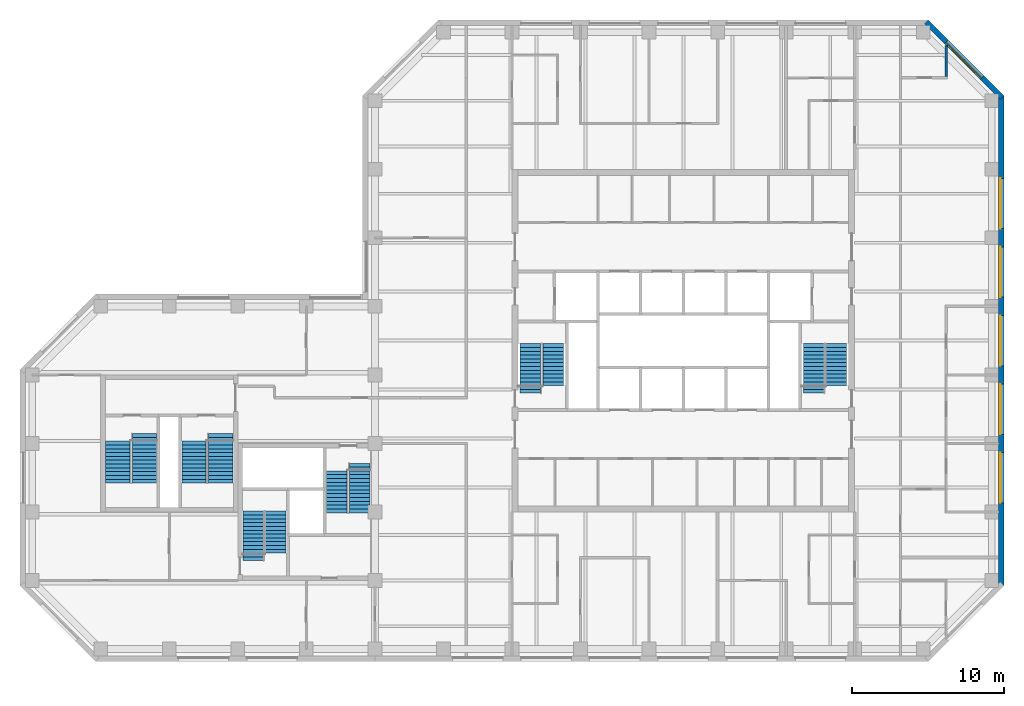
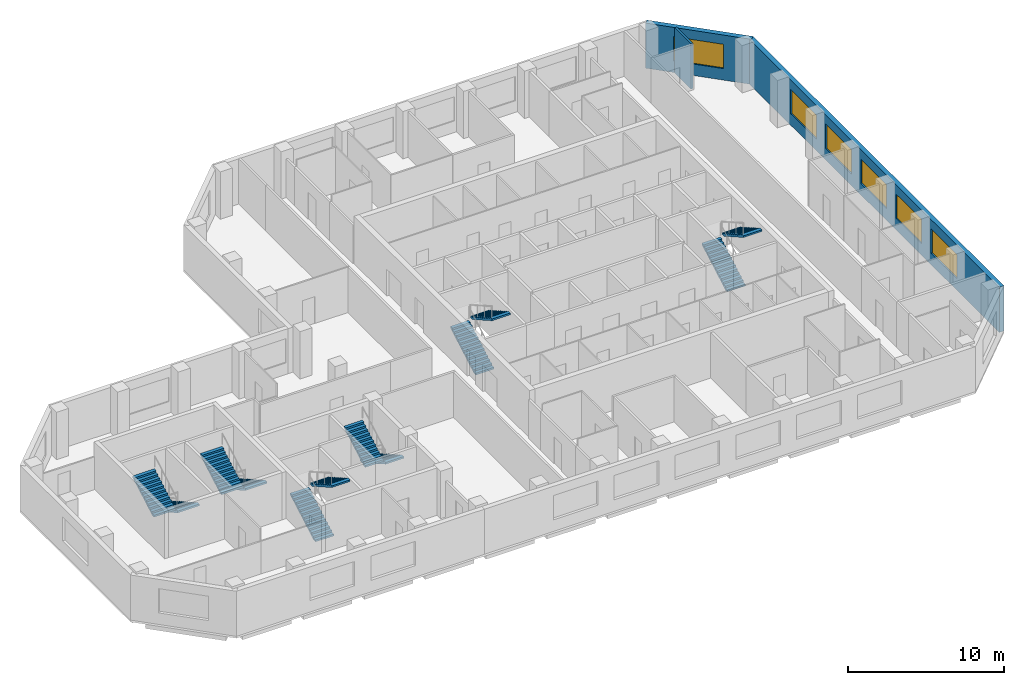
# One storey, part 8 of 9: 12 stair flights, 6 windows, 3 walls, 6 openings, 6 elements without a shape of their own.
"""IFC4 building model written with IfcOpenShell, lengths in metres."""

import ifcopenshell
import ifcopenshell.guid

model = None  # the IFC model being written
_history = None  # IfcOwnerHistory: only IFC2X3 demands one
_inside = {}  # id of a spatial element -> (the spatial element, [elements in it])
_under = {}  # id of a project, library or spatial element -> (it, [spatial elements below it])
_declared = {}  # id of a project -> (the project, [libraries it declares])
_typed = {}  # id of a type object -> (the type object, [elements of that type])
_made_of = {}  # id of a material, layer set ... -> (it, [elements and type objects made of it])


def new_model(schema):
    """Start an empty IFC model of exactly this schema.

    Asked for "IFC4X3", IfcOpenShell would pick the latest addendum, in which some entities
    have other attributes; the version numbers below select the first issue.
    IFC2X3 requires an IfcOwnerHistory on every rooted entity: one is made here for all.
    """
    global model, _history
    if schema == "IFC4X3":
        model = ifcopenshell.file(schema_version=(4, 3, 0, 0))
    else:
        model = ifcopenshell.file(schema=schema)
    _inside.clear()
    _under.clear()
    _declared.clear()
    _typed.clear()
    _made_of.clear()
    _history = None
    if model.schema == "IFC2X3":
        org = make("IfcOrganization", Name="unknown")
        user = make(
            "IfcPersonAndOrganization",
            ThePerson=make("IfcPerson", FamilyName="unknown"),
            TheOrganization=org,
        )
        app = make(
            "IfcApplication",
            ApplicationDeveloper=org,
            Version="unknown",
            ApplicationFullName="unknown",
            ApplicationIdentifier="unknown",
        )
        _history = make(
            "IfcOwnerHistory",
            OwningUser=user,
            OwningApplication=app,
            ChangeAction="ADDED",
            CreationDate=0,
        )
    return model


def make(cls, **values):
    """One entity of the class cls with the attributes given. An attribute that is None is left unset."""
    return model.create_entity(
        cls, **{name: value for name, value in values.items() if value is not None}
    )


def rooted(cls, **values):
    """An entity with a GlobalId (a new one), such as an element, a storey or a relation."""
    return make(cls, GlobalId=ifcopenshell.guid.new(), OwnerHistory=_history, **values)


def si_unit(unit_type, name, prefix=None):
    """IfcSIUnit, for example si_unit("LENGTHUNIT", "METRE", prefix="MILLI")."""
    return make("IfcSIUnit", UnitType=unit_type, Prefix=prefix, Name=name)


def assignment(units):
    """IfcUnitAssignment: the units of a project."""
    return None if units is None else make("IfcUnitAssignment", Units=units)


def point(xyz):
    """IfcCartesianPoint."""
    return None if xyz is None else make("IfcCartesianPoint", Coordinates=xyz)


def direction(xyz):
    """IfcDirection."""
    return None if xyz is None else make("IfcDirection", DirectionRatios=xyz)


def frame(location, z_axis=None, x_axis=None):
    """IfcAxis2Placement3D, a coordinate frame: its origin and axes. An axis left out is left unset."""
    return make(
        "IfcAxis2Placement3D",
        Location=point(location),
        Axis=direction(z_axis),
        RefDirection=direction(x_axis),
    )


def frame_2d(location, x_axis=None):
    """IfcAxis2Placement2D, a coordinate frame in the plane: its origin and x axis."""
    return make(
        "IfcAxis2Placement2D", Location=point(location), RefDirection=direction(x_axis)
    )


def origin():
    """The frame at (0, 0, 0) with its axes left unset."""
    return frame((0.0, 0.0, 0.0))


def place(relative_to, where):
    """IfcLocalPlacement: puts the frame where relative to a parent placement (None: the world)."""
    return make(
        "IfcLocalPlacement", PlacementRelTo=relative_to, RelativePlacement=where
    )


def context(
    kind, dimensions, precision=None, world=None, true_north=None, identifier=None
):
    """IfcGeometricRepresentationContext, for example the 3D "Model" context."""
    return make(
        "IfcGeometricRepresentationContext",
        ContextIdentifier=identifier,
        ContextType=kind,
        CoordinateSpaceDimension=dimensions,
        Precision=precision,
        WorldCoordinateSystem=world,
        TrueNorth=true_north,
    )


def subcontext(parent, identifier, kind, view, scale=None):
    """IfcGeometricRepresentationSubContext, for example "Body" below "Model"."""
    return make(
        "IfcGeometricRepresentationSubContext",
        ContextIdentifier=identifier,
        ContextType=kind,
        ParentContext=parent,
        TargetScale=scale,
        TargetView=view,
    )


def project(units=None, contexts=None):
    """IfcProject with its units and contexts."""
    return rooted(
        "IfcProject",
        Name="project",
        RepresentationContexts=contexts,
        UnitsInContext=assignment(units),
    )


def spatial(cls, under=None, at=None, **own):
    """A site, building, storey or space (cls), placed at a placement, below another one or the project."""
    s = rooted(cls, ObjectPlacement=at, **own)
    if under is not None:
        _under.setdefault(under.id(), (under, []))[1].append(s)
    return s


def polyline(points):
    """IfcPolyline through the points."""
    return make("IfcPolyline", Points=[point(p) for p in points])


def profile(cls, at=None, kind="AREA", **sizes):
    """A parametric profile (cls). Its sizes go by their IFC names, for example OverallWidth=200.0."""
    return make(cls, ProfileType=kind, Position=at, **sizes)


def rectangle(**sizes):
    """IfcRectangleProfileDef."""
    return profile("IfcRectangleProfileDef", **sizes)


def outline(outer, holes=None, kind="AREA"):
    """IfcArbitraryClosedProfileDef: a profile drawn as a closed curve; with holes, ...WithVoids."""
    if holes is None:
        return make("IfcArbitraryClosedProfileDef", ProfileType=kind, OuterCurve=outer)
    return make(
        "IfcArbitraryProfileDefWithVoids",
        ProfileType=kind,
        OuterCurve=outer,
        InnerCurves=holes,
    )


def extrude(swept, where, along, depth):
    """IfcExtrudedAreaSolid: the profile swept, set in the frame where, extruded along a direction by depth."""
    return make(
        "IfcExtrudedAreaSolid",
        SweptArea=swept,
        Position=where,
        ExtrudedDirection=direction(along),
        Depth=depth,
    )


def shape(context_of_items, identifier, shape_type, items):
    """IfcShapeRepresentation: the items that make up one representation, for example the "Body"."""
    return make(
        "IfcShapeRepresentation",
        ContextOfItems=context_of_items,
        RepresentationIdentifier=identifier,
        RepresentationType=shape_type,
        Items=items,
    )


def material(Name=None, Category=None):
    """IfcMaterial."""
    return make("IfcMaterial", Name=Name, Category=Category)


def layer(
    of_material, thickness, ventilated=None, Name=None, Category=None, Priority=None
):
    """IfcMaterialLayer: one layer of a wall or slab, of a material (None: an air gap)."""
    return make(
        "IfcMaterialLayer",
        Material=of_material,
        LayerThickness=thickness,
        IsVentilated=ventilated,
        Name=Name,
        Category=Category,
        Priority=Priority,
    )


def layer_set(layers, Name=None):
    """IfcMaterialLayerSet."""
    return make("IfcMaterialLayerSet", MaterialLayers=layers, LayerSetName=Name)


def constituent(of_material, Name=None, Category=None, fraction=None):
    """IfcMaterialConstituent: one of the materials an element consists of."""
    return make(
        "IfcMaterialConstituent",
        Name=Name,
        Material=of_material,
        Fraction=fraction,
        Category=Category,
    )


def constituent_set(constituents=None, Name=None):
    """IfcMaterialConstituentSet."""
    return make(
        "IfcMaterialConstituentSet", Name=Name, MaterialConstituents=constituents
    )


def made_of(thing, what):
    """Note that an element or type object is made of a material, layer set ...; save() writes the relation."""
    if what is not None:
        _made_of.setdefault(what.id(), (what, []))[1].append(thing)
    return thing


def type_object(cls, material=None, **own):
    """A type object (cls), such as IfcWallType, which elements share."""
    return made_of(rooted(cls, **own), material)


def element(
    cls,
    number,
    at=None,
    inside=None,
    cuts=None,
    type_object=None,
    material=None,
    context=None,
    identifier="Body",
    shape_type=None,
    held_by="IfcProductDefinitionShape",
    body=None,
    shapes=None,
    **own,
):
    """One element of the class cls, such as IfcWall. Its Tag is "e" and its number.

    at: its placement. inside: the storey or other place that contains it. cuts: it is an
    opening in that element (IfcRelVoidsElement). A single representation is given by context,
    identifier, shape_type and body (its items); several are given by shapes. held_by: the class
    of the entity that holds the representations. save() writes the other relations.
    """
    e = rooted(cls, Tag="e%d" % number, ObjectPlacement=at, **own)
    if body is not None:
        shapes = [shape(context, identifier, shape_type, body)]
    if shapes is not None:
        e.Representation = make(held_by, Representations=shapes)
    if inside is not None:
        _inside.setdefault(inside.id(), (inside, []))[1].append(e)
    if cuts is not None:
        rooted(
            "IfcRelVoidsElement", RelatingBuildingElement=cuts, RelatedOpeningElement=e
        )
    if type_object is not None:
        _typed.setdefault(type_object.id(), (type_object, []))[1].append(e)
    return made_of(e, material)


def fill(opening, filler):
    """IfcRelFillsElement: the door or window that sits in an opening."""
    return rooted(
        "IfcRelFillsElement",
        RelatingOpeningElement=opening,
        RelatedBuildingElement=filler,
    )


def aggregate(whole, parts):
    """IfcRelAggregates: a whole, such as a stair, and the parts it consists of."""
    return rooted("IfcRelAggregates", RelatingObject=whole, RelatedObjects=parts)


def save(model, path):
    """Write the relations noted so far, then the file.

    IfcRelAggregates (storeys below a building ...), IfcRelContainedInSpatialStructure (elements
    in a storey), IfcRelDefinesByType, IfcRelAssociatesMaterial and IfcRelDeclares: one each for
    every whole, place, type object, material and project.
    """
    for whole, parts in _under.values():
        aggregate(whole, parts)
    for where, things in _inside.values():
        rooted(
            "IfcRelContainedInSpatialStructure",
            RelatedElements=things,
            RelatingStructure=where,
        )
    for kind, things in _typed.values():
        rooted("IfcRelDefinesByType", RelatedObjects=things, RelatingType=kind)
    for what, things in _made_of.values():
        rooted("IfcRelAssociatesMaterial", RelatedObjects=things, RelatingMaterial=what)
    for by, libraries in _declared.values():
        rooted("IfcRelDeclares", RelatingContext=by, RelatedDefinitions=libraries)
    model.write(path)


model = new_model("IFC4")

# Units and contexts
model_context = context("Model", 3, precision=1e-05, world=origin(), true_north=direction((0.0, 1.0)))
body_context = subcontext(model_context, "Body", "Model", "MODEL_VIEW")
ifc_project = project(units=[si_unit("LENGTHUNIT", "METRE"), si_unit("AREAUNIT", "SQUARE_METRE"), si_unit("VOLUMEUNIT", "CUBIC_METRE"), si_unit("PLANEANGLEUNIT", "RADIAN"), si_unit("MASSUNIT", "GRAM", prefix="KILO")], contexts=[model_context])

# Site, building, storey
site_placement = place(None, origin())
site = spatial("IfcSite", under=ifc_project, at=site_placement, CompositionType="ELEMENT")
building_placement = place(site_placement, origin())
building = spatial("IfcBuilding", under=site, at=building_placement, Name="Quoin Convention Tower", CompositionType="ELEMENT")
storey_placement = place(building_placement, frame((0.0, 0.0, 162.5)))
storey = spatial("IfcBuildingStorey", under=building, at=storey_placement, Name="L42", CompositionType="ELEMENT", Elevation=162.5)

# Wall, openings, windows
ifc_material_1 = material(Name="Brick masonry", Category="masonry")
ifc_layer_1 = layer(ifc_material_1, 0.35009765625)
ifc_layer_set_1 = layer_set([ifc_layer_1], Name="Brick masonry")
wall_type_1 = type_object("IfcWallType", Name="Brick facade wall", PredefinedType="STANDARD", material=ifc_layer_set_1)
wall_1_placement = place(storey_placement, frame((77.125, 44.668701171875, 0.0), z_axis=(0.0, 0.0, 1.0), x_axis=(0.0, 1.0, 0.0)))
wall_1 = element("IfcWall", 1, at=wall_1_placement, inside=storey, type_object=wall_type_1, Name="fw-L42-76500_45000", PredefinedType="STANDARD", context=body_context, shape_type="SweptSolid", body=[
    extrude(rectangle(XDim=32.16259765625, YDim=0.35009765625, at=frame_2d((16.081298828125, 0.0))), origin(), (0.0, 0.0, 1.0), 3.52490234375),
])
opening_1_placement = place(wall_1_placement, frame((5.431396484375, 0.0, 0.89990234375)))
opening_1 = element("IfcOpeningElement", 2, at=opening_1_placement, cuts=wall_1, Name="Opening W-02", PredefinedType="OPENING", context=body_context, shape_type="SweptSolid", body=[
    extrude(rectangle(XDim=3.300048828125, YDim=1.89990234375, at=frame_2d((1.64990234375, 0.949951171875))), frame((0.0, 0.18505859375, 0.0), z_axis=(0.0, -1.0, 0.0), x_axis=(1.0, 0.0, 0.0)), (0.0, 0.0, 1.0), 0.3701171875),
])
opening_2_placement = place(wall_1_placement, frame((9.931396484375, 0.0, 0.89990234375)))
opening_2 = element("IfcOpeningElement", 3, at=opening_2_placement, cuts=wall_1, Name="Opening W-02", PredefinedType="OPENING", context=body_context, shape_type="SweptSolid", body=[
    extrude(rectangle(XDim=3.300048828125, YDim=1.89990234375, at=frame_2d((1.64990234375, 0.949951171875))), frame((0.0, 0.18505859375, 0.0), z_axis=(0.0, -1.0, 0.0), x_axis=(1.0, 0.0, 0.0)), (0.0, 0.0, 1.0), 0.3701171875),
])
opening_3_placement = place(wall_1_placement, frame((14.431396484375, 0.0, 0.89990234375)))
opening_3 = element("IfcOpeningElement", 4, at=opening_3_placement, cuts=wall_1, Name="Opening W-02", PredefinedType="OPENING", context=body_context, shape_type="SweptSolid", body=[
    extrude(rectangle(XDim=3.300048828125, YDim=1.89990234375, at=frame_2d((1.64990234375, 0.949951171875))), frame((0.0, 0.18505859375, 0.0), z_axis=(0.0, -1.0, 0.0), x_axis=(1.0, 0.0, 0.0)), (0.0, 0.0, 1.0), 0.3701171875),
])
opening_4_placement = place(wall_1_placement, frame((18.931396484375, 0.0, 0.89990234375)))
opening_4 = element("IfcOpeningElement", 5, at=opening_4_placement, cuts=wall_1, Name="Opening W-02", PredefinedType="OPENING", context=body_context, shape_type="SweptSolid", body=[
    extrude(rectangle(XDim=3.300048828125, YDim=1.89990234375, at=frame_2d((1.64990234375, 0.949951171875))), frame((0.0, 0.18505859375, 0.0), z_axis=(0.0, -1.0, 0.0), x_axis=(1.0, 0.0, 0.0)), (0.0, 0.0, 1.0), 0.3701171875),
])
opening_5_placement = place(wall_1_placement, frame((23.431396484375, 0.0, 0.89990234375)))
opening_5 = element("IfcOpeningElement", 6, at=opening_5_placement, cuts=wall_1, Name="Opening W-02", PredefinedType="OPENING", context=body_context, shape_type="SweptSolid", body=[
    extrude(rectangle(XDim=3.300048828125, YDim=1.89990234375, at=frame_2d((1.64990234375, 0.949951171875))), frame((0.0, 0.18505859375, 0.0), z_axis=(0.0, -1.0, 0.0), x_axis=(1.0, 0.0, 0.0)), (0.0, 0.0, 1.0), 0.3701171875),
])
ifc_material_2 = material(Name="Aluminium", Category="aluminium")
ifc_constituent_1 = constituent(ifc_material_2, Name="Frame")
ifc_material_3 = material(Name="Insulated glass", Category="glass")
ifc_constituent_2 = constituent(ifc_material_3, Name="Glazing")
ifc_constituent_set = constituent_set(constituents=[ifc_constituent_1, ifc_constituent_2], Name="Aluminium")
window_type = type_object("IfcWindowType", Name="Office window", PartitioningType="DOUBLE_PANEL_VERTICAL", PredefinedType="WINDOW", material=ifc_constituent_set)
window_1_placement = place(opening_1_placement, origin())
window_1 = element("IfcWindow", 7, at=window_1_placement, inside=storey, type_object=window_type, Name="win-L42-77125_51750", OverallHeight=1.89990234375, OverallWidth=3.300048828125, PartitioningType="SINGLE_PANEL", PredefinedType="WINDOW", context=body_context, shape_type="SweptSolid", body=[
    extrude(rectangle(XDim=3.300048828125, YDim=1.89990234375, at=frame_2d((1.64990234375, 0.949951171875))), frame((0.0, 0.0849609375, 0.0), z_axis=(0.0, -1.0, 0.0), x_axis=(1.0, 0.0, 0.0)), (0.0, 0.0, 1.0), 0.06005859375),
])
fill(opening_1, window_1)
window_2_placement = place(opening_2_placement, origin())
window_2 = element("IfcWindow", 8, at=window_2_placement, inside=storey, type_object=window_type, Name="win-L42-77125_56250", OverallHeight=1.89990234375, OverallWidth=3.300048828125, PartitioningType="SINGLE_PANEL", PredefinedType="WINDOW", context=body_context, shape_type="SweptSolid", body=[
    extrude(rectangle(XDim=3.300048828125, YDim=1.89990234375, at=frame_2d((1.64990234375, 0.949951171875))), frame((0.0, 0.0849609375, 0.0), z_axis=(0.0, -1.0, 0.0), x_axis=(1.0, 0.0, 0.0)), (0.0, 0.0, 1.0), 0.06005859375),
])
fill(opening_2, window_2)
window_3_placement = place(opening_3_placement, origin())
window_3 = element("IfcWindow", 9, at=window_3_placement, inside=storey, type_object=window_type, Name="win-L42-77125_60750", OverallHeight=1.89990234375, OverallWidth=3.300048828125, PartitioningType="SINGLE_PANEL", PredefinedType="WINDOW", context=body_context, shape_type="SweptSolid", body=[
    extrude(rectangle(XDim=3.300048828125, YDim=1.89990234375, at=frame_2d((1.64990234375, 0.949951171875))), frame((0.0, 0.0849609375, 0.0), z_axis=(0.0, -1.0, 0.0), x_axis=(1.0, 0.0, 0.0)), (0.0, 0.0, 1.0), 0.06005859375),
])
fill(opening_3, window_3)
window_4_placement = place(opening_4_placement, origin())
window_4 = element("IfcWindow", 10, at=window_4_placement, inside=storey, type_object=window_type, Name="win-L42-77125_65250", OverallHeight=1.89990234375, OverallWidth=3.300048828125, PartitioningType="SINGLE_PANEL", PredefinedType="WINDOW", context=body_context, shape_type="SweptSolid", body=[
    extrude(rectangle(XDim=3.300048828125, YDim=1.89990234375, at=frame_2d((1.64990234375, 0.949951171875))), frame((0.0, 0.0849609375, 0.0), z_axis=(0.0, -1.0, 0.0), x_axis=(1.0, 0.0, 0.0)), (0.0, 0.0, 1.0), 0.06005859375),
])
fill(opening_4, window_4)
window_5_placement = place(opening_5_placement, origin())
window_5 = element("IfcWindow", 11, at=window_5_placement, inside=storey, type_object=window_type, Name="win-L42-77125_69750", OverallHeight=1.89990234375, OverallWidth=3.300048828125, PartitioningType="SINGLE_PANEL", PredefinedType="WINDOW", context=body_context, shape_type="SweptSolid", body=[
    extrude(rectangle(XDim=3.300048828125, YDim=1.89990234375, at=frame_2d((1.64990234375, 0.949951171875))), frame((0.0, 0.0849609375, 0.0), z_axis=(0.0, -1.0, 0.0), x_axis=(1.0, 0.0, 0.0)), (0.0, 0.0, 1.0), 0.06005859375),
])
fill(opening_5, window_5)

# Wall, opening, window
wall_2_placement = place(storey_placement, frame((77.17626953125, 76.70751953125, 0.0), z_axis=(0.0, 0.0, 1.0), x_axis=(-0.707106781187, 0.707106781187, 0.0)))
wall_2 = element("IfcWall", 12, at=wall_2_placement, inside=storey, type_object=wall_type_1, Name="fw-L42-76500_76500", PredefinedType="STANDARD", context=body_context, shape_type="SweptSolid", body=[
    extrude(rectangle(XDim=7.02685546875, YDim=0.35009765625, at=frame_2d((3.513427734375, 0.0))), origin(), (0.0, 0.0, 1.0), 3.52490234375),
])
opening_6_placement = place(wall_2_placement, frame((1.86328125, 0.0, 0.89990234375)))
opening_6 = element("IfcOpeningElement", 13, at=opening_6_placement, cuts=wall_2, Name="Opening W-02", PredefinedType="OPENING", context=body_context, shape_type="SweptSolid", body=[
    extrude(rectangle(XDim=3.300048828125, YDim=1.89990234375, at=frame_2d((1.64990234375, 0.949951171875))), frame((0.0, 0.18505859375, 0.0), z_axis=(0.0, -1.0, 0.0), x_axis=(1.0, 0.0, 0.0)), (0.0, 0.0, 1.0), 0.3701171875),
])
window_6_placement = place(opening_6_placement, origin())
window_6 = element("IfcWindow", 14, at=window_6_placement, inside=storey, type_object=window_type, Name="win-L42-74692_79192", OverallHeight=1.89990234375, OverallWidth=3.300048828125, PartitioningType="SINGLE_PANEL", PredefinedType="WINDOW", context=body_context, shape_type="SweptSolid", body=[
    extrude(rectangle(XDim=3.300048828125, YDim=1.89990234375, at=frame_2d((1.64990234375, 0.949951171875))), frame((0.0, 0.0849609375, 0.0), z_axis=(0.0, -1.0, 0.0), x_axis=(1.0, 0.0, 0.0)), (0.0, 0.0, 1.0), 0.06005859375),
])
fill(opening_6, window_6)

# Wall
ifc_material_4 = material(Name="Plasterboard")
ifc_layer_2 = layer(ifc_material_4, 0.012451171875, Name="Finish")
ifc_material_5 = material(Name="Steel stud framing", Category="steel")
ifc_layer_3 = layer(ifc_material_5, 0.125, Name="Structure")
ifc_layer_4 = layer(ifc_material_4, 0.012451171875, Name="Finish")
ifc_layer_set_2 = layer_set([ifc_layer_2, ifc_layer_3, ifc_layer_4], Name="Steel stud framing")
wall_type_2 = type_object("IfcWallType", Name="Wet area partition 150", PredefinedType="PARTITIONING", material=ifc_layer_set_2)
wall_3_placement = place(storey_placement, frame((73.5, 78.074951171875, 0.0), z_axis=(0.0, 0.0, 1.0), x_axis=(0.0, 1.0, 0.0)))
element("IfcWall", 15, at=wall_3_placement, inside=storey, type_object=wall_type_2, Name="pw-L42-091", PredefinedType="PARTITIONING", context=body_context, shape_type="SweptSolid", body=[
    extrude(rectangle(XDim=2.0615234375, YDim=0.14990234375, at=frame_2d((1.03076171875, 0.0))), origin(), (0.0, 0.0, 1.0), 3.550048828125),
])

# Stair, stair flights
ifc_material_6 = material(Name="Concrete C40", Category="concrete")
stair_type_1 = type_object("IfcStairType", Name="Exit stair two-flight 1350", PredefinedType="HALF_TURN_STAIR", material=ifc_material_6)
stair_1_placement = place(storey_placement, origin())
stair_1 = element("IfcStair", 16, at=stair_1_placement, inside=storey, type_object=stair_type_1, Name="SD1 L42", PredefinedType="HALF_TURN_STAIR")
stair_flight_type_1 = type_object("IfcStairFlightType", Name="Stair flight 1350", PredefinedType="STRAIGHT", material=ifc_material_6)
stair_flight_1_placement = place(storey_placement, frame((46.199951171875, 57.300048828125, 0.0), z_axis=(0.0, 0.0, 1.0), x_axis=(0.0, 1.0, 0.0)))
stair_flight_1 = element("IfcStairFlight", 17, at=stair_flight_1_placement, type_object=stair_flight_type_1, Name="ST1 flight 1", NumberOfRisers=14, NumberOfTreads=13, PredefinedType="STRAIGHT", RiserHeight=0.142307692, TreadLength=0.25, context=body_context, shape_type="SweptSolid", body=[
    extrude(outline(polyline([(0.0, 0.0), (0.0, 0.142333984375), (0.25, 0.142333984375), (0.25, 0.28466796875), (0.5, 0.28466796875), (0.5, 0.427001953125), (0.75, 0.427001953125), (0.75, 0.5693359375), (1.0, 0.5693359375), (1.0, 0.71142578125), (1.25, 0.71142578125), (1.25, 0.853759765625), (1.5, 0.853759765625), (1.5, 0.99609375), (1.75, 0.99609375), (1.75, 1.138427734375), (2.0, 1.138427734375), (2.0, 1.28076171875), (2.25, 1.28076171875), (2.25, 1.423095703125), (2.5, 1.423095703125), (2.5, 1.5654296875), (2.75, 1.5654296875), (2.75, 1.707763671875), (3.0, 1.707763671875), (3.0, 1.85009765625), (3.25, 1.85009765625), (3.25, 1.9921875), (3.25, 1.711669921875), (0.242919921875, 0.0), (0.0, 0.0)])), frame((0.0, 0.675048828125, 0.0), z_axis=(0.0, -1.0, 0.0), x_axis=(1.0, 0.0, 0.0)), (0.0, 0.0, 1.0), 1.35009765625),
])
stair_flight_2_placement = place(storey_placement, frame((47.699951171875, 60.550048828125, 1.9921875), z_axis=(0.0, 0.0, 1.0), x_axis=(0.0, -1.0, 0.0)))
stair_flight_2 = element("IfcStairFlight", 18, at=stair_flight_2_placement, type_object=stair_flight_type_1, Name="ST1 flight 2", NumberOfRisers=12, NumberOfTreads=11, PredefinedType="STRAIGHT", RiserHeight=0.142307692, TreadLength=0.25, context=body_context, shape_type="SweptSolid", body=[
    extrude(outline(polyline([(0.0, 0.0), (0.0, 0.142333984375), (0.25, 0.142333984375), (0.25, 0.28466796875), (0.5, 0.28466796875), (0.5, 0.427001953125), (0.75, 0.427001953125), (0.75, 0.5693359375), (1.0, 0.5693359375), (1.0, 0.71142578125), (1.25, 0.71142578125), (1.25, 0.853759765625), (1.5, 0.853759765625), (1.5, 0.99609375), (1.75, 0.99609375), (1.75, 1.138427734375), (2.0, 1.138427734375), (2.0, 1.28076171875), (2.25, 1.28076171875), (2.25, 1.423095703125), (2.5, 1.423095703125), (2.5, 1.5654296875), (2.75, 1.5654296875), (2.75, 1.707763671875), (2.75, 1.42724609375), (0.242919921875, 0.0), (0.0, 0.0)])), frame((0.0, 0.675048828125, 0.0), z_axis=(0.0, -1.0, 0.0), x_axis=(1.0, 0.0, 0.0)), (0.0, 0.0, 1.0), 1.35009765625),
])
aggregate(stair_1, [stair_flight_1, stair_flight_2])

stair_2_placement = place(storey_placement, origin())
stair_2 = element("IfcStair", 19, at=stair_2_placement, inside=storey, type_object=stair_type_1, Name="SD2 L42", PredefinedType="HALF_TURN_STAIR")
stair_flight_3_placement = place(storey_placement, frame((64.800048828125, 57.300048828125, 0.0), z_axis=(0.0, 0.0, 1.0), x_axis=(0.0, 1.0, 0.0)))
stair_flight_3 = element("IfcStairFlight", 20, at=stair_flight_3_placement, type_object=stair_flight_type_1, Name="ST2 flight 1", NumberOfRisers=14, NumberOfTreads=13, PredefinedType="STRAIGHT", RiserHeight=0.142307692, TreadLength=0.25, context=body_context, shape_type="SweptSolid", body=[
    extrude(outline(polyline([(0.0, 0.0), (0.0, 0.142333984375), (0.25, 0.142333984375), (0.25, 0.28466796875), (0.5, 0.28466796875), (0.5, 0.427001953125), (0.75, 0.427001953125), (0.75, 0.5693359375), (1.0, 0.5693359375), (1.0, 0.71142578125), (1.25, 0.71142578125), (1.25, 0.853759765625), (1.5, 0.853759765625), (1.5, 0.99609375), (1.75, 0.99609375), (1.75, 1.138427734375), (2.0, 1.138427734375), (2.0, 1.28076171875), (2.25, 1.28076171875), (2.25, 1.423095703125), (2.5, 1.423095703125), (2.5, 1.5654296875), (2.75, 1.5654296875), (2.75, 1.707763671875), (3.0, 1.707763671875), (3.0, 1.85009765625), (3.25, 1.85009765625), (3.25, 1.9921875), (3.25, 1.711669921875), (0.242919921875, 0.0), (0.0, 0.0)])), frame((0.0, 0.675048828125, 0.0), z_axis=(0.0, -1.0, 0.0), x_axis=(1.0, 0.0, 0.0)), (0.0, 0.0, 1.0), 1.35009765625),
])
stair_flight_4_placement = place(storey_placement, frame((66.300048828125, 60.550048828125, 1.9921875), z_axis=(0.0, 0.0, 1.0), x_axis=(0.0, -1.0, 0.0)))
stair_flight_4 = element("IfcStairFlight", 21, at=stair_flight_4_placement, type_object=stair_flight_type_1, Name="ST2 flight 2", NumberOfRisers=12, NumberOfTreads=11, PredefinedType="STRAIGHT", RiserHeight=0.142307692, TreadLength=0.25, context=body_context, shape_type="SweptSolid", body=[
    extrude(outline(polyline([(0.0, 0.0), (0.0, 0.142333984375), (0.25, 0.142333984375), (0.25, 0.28466796875), (0.5, 0.28466796875), (0.5, 0.427001953125), (0.75, 0.427001953125), (0.75, 0.5693359375), (1.0, 0.5693359375), (1.0, 0.71142578125), (1.25, 0.71142578125), (1.25, 0.853759765625), (1.5, 0.853759765625), (1.5, 0.99609375), (1.75, 0.99609375), (1.75, 1.138427734375), (2.0, 1.138427734375), (2.0, 1.28076171875), (2.25, 1.28076171875), (2.25, 1.423095703125), (2.5, 1.423095703125), (2.5, 1.5654296875), (2.75, 1.5654296875), (2.75, 1.707763671875), (2.75, 1.42724609375), (0.242919921875, 0.0), (0.0, 0.0)])), frame((0.0, 0.675048828125, 0.0), z_axis=(0.0, -1.0, 0.0), x_axis=(1.0, 0.0, 0.0)), (0.0, 0.0, 1.0), 1.35009765625),
])
aggregate(stair_2, [stair_flight_3, stair_flight_4])

stair_3_placement = place(storey_placement, origin())
stair_3 = element("IfcStair", 22, at=stair_3_placement, inside=storey, type_object=stair_type_1, Name="SD3 L42", PredefinedType="HALF_TURN_STAIR")
stair_flight_5_placement = place(storey_placement, frame((28.0, 46.300048828125, 0.0), z_axis=(0.0, 0.0, 1.0), x_axis=(0.0, 1.0, 0.0)))
stair_flight_5 = element("IfcStairFlight", 23, at=stair_flight_5_placement, type_object=stair_flight_type_1, Name="ST3 flight 1", NumberOfRisers=14, NumberOfTreads=13, PredefinedType="STRAIGHT", RiserHeight=0.142307692, TreadLength=0.25, context=body_context, shape_type="SweptSolid", body=[
    extrude(outline(polyline([(0.0, 0.0), (0.0, 0.142333984375), (0.25, 0.142333984375), (0.25, 0.28466796875), (0.5, 0.28466796875), (0.5, 0.427001953125), (0.75, 0.427001953125), (0.75, 0.5693359375), (1.0, 0.5693359375), (1.0, 0.71142578125), (1.25, 0.71142578125), (1.25, 0.853759765625), (1.5, 0.853759765625), (1.5, 0.99609375), (1.75, 0.99609375), (1.75, 1.138427734375), (2.0, 1.138427734375), (2.0, 1.28076171875), (2.25, 1.28076171875), (2.25, 1.423095703125), (2.5, 1.423095703125), (2.5, 1.5654296875), (2.75, 1.5654296875), (2.75, 1.707763671875), (3.0, 1.707763671875), (3.0, 1.85009765625), (3.25, 1.85009765625), (3.25, 1.9921875), (3.25, 1.711669921875), (0.242919921875, 0.0), (0.0, 0.0)])), frame((0.0, 0.675048828125, 0.0), z_axis=(0.0, -1.0, 0.0), x_axis=(1.0, 0.0, 0.0)), (0.0, 0.0, 1.0), 1.35009765625),
])
stair_flight_6_placement = place(storey_placement, frame((29.5, 49.550048828125, 1.9921875), z_axis=(0.0, 0.0, 1.0), x_axis=(0.0, -1.0, 0.0)))
stair_flight_6 = element("IfcStairFlight", 24, at=stair_flight_6_placement, type_object=stair_flight_type_1, Name="ST3 flight 2", NumberOfRisers=12, NumberOfTreads=11, PredefinedType="STRAIGHT", RiserHeight=0.142307692, TreadLength=0.25, context=body_context, shape_type="SweptSolid", body=[
    extrude(outline(polyline([(0.0, 0.0), (0.0, 0.142333984375), (0.25, 0.142333984375), (0.25, 0.28466796875), (0.5, 0.28466796875), (0.5, 0.427001953125), (0.75, 0.427001953125), (0.75, 0.5693359375), (1.0, 0.5693359375), (1.0, 0.71142578125), (1.25, 0.71142578125), (1.25, 0.853759765625), (1.5, 0.853759765625), (1.5, 0.99609375), (1.75, 0.99609375), (1.75, 1.138427734375), (2.0, 1.138427734375), (2.0, 1.28076171875), (2.25, 1.28076171875), (2.25, 1.423095703125), (2.5, 1.423095703125), (2.5, 1.5654296875), (2.75, 1.5654296875), (2.75, 1.707763671875), (2.75, 1.42724609375), (0.242919921875, 0.0), (0.0, 0.0)])), frame((0.0, 0.675048828125, 0.0), z_axis=(0.0, -1.0, 0.0), x_axis=(1.0, 0.0, 0.0)), (0.0, 0.0, 1.0), 1.35009765625),
])
aggregate(stair_3, [stair_flight_5, stair_flight_6])

stair_4_placement = place(storey_placement, origin())
stair_4 = element("IfcStair", 25, at=stair_4_placement, inside=storey, type_object=stair_type_1, Name="SD4 L42", PredefinedType="HALF_TURN_STAIR")
stair_flight_7_placement = place(storey_placement, frame((35.0, 52.699951171875, 0.0), z_axis=(0.0, 0.0, 1.0), x_axis=(0.0, -1.0, 0.0)))
stair_flight_7 = element("IfcStairFlight", 26, at=stair_flight_7_placement, type_object=stair_flight_type_1, Name="ST4 flight 1", NumberOfRisers=14, NumberOfTreads=13, PredefinedType="STRAIGHT", RiserHeight=0.142307692, TreadLength=0.25, context=body_context, shape_type="SweptSolid", body=[
    extrude(outline(polyline([(0.0, 0.0), (0.0, 0.142333984375), (0.25, 0.142333984375), (0.25, 0.28466796875), (0.5, 0.28466796875), (0.5, 0.427001953125), (0.75, 0.427001953125), (0.75, 0.5693359375), (1.0, 0.5693359375), (1.0, 0.71142578125), (1.25, 0.71142578125), (1.25, 0.853759765625), (1.5, 0.853759765625), (1.5, 0.99609375), (1.75, 0.99609375), (1.75, 1.138427734375), (2.0, 1.138427734375), (2.0, 1.28076171875), (2.25, 1.28076171875), (2.25, 1.423095703125), (2.5, 1.423095703125), (2.5, 1.5654296875), (2.75, 1.5654296875), (2.75, 1.707763671875), (3.0, 1.707763671875), (3.0, 1.85009765625), (3.25, 1.85009765625), (3.25, 1.9921875), (3.25, 1.711669921875), (0.242919921875, 0.0), (0.0, 0.0)])), frame((0.0, 0.675048828125, 0.0), z_axis=(0.0, -1.0, 0.0), x_axis=(1.0, 0.0, 0.0)), (0.0, 0.0, 1.0), 1.35009765625),
])
stair_flight_8_placement = place(storey_placement, frame((33.5, 49.449951171875, 1.9921875), z_axis=(0.0, 0.0, 1.0), x_axis=(0.0, 1.0, 0.0)))
stair_flight_8 = element("IfcStairFlight", 27, at=stair_flight_8_placement, type_object=stair_flight_type_1, Name="ST4 flight 2", NumberOfRisers=12, NumberOfTreads=11, PredefinedType="STRAIGHT", RiserHeight=0.142307692, TreadLength=0.25, context=body_context, shape_type="SweptSolid", body=[
    extrude(outline(polyline([(0.0, 0.0), (0.0, 0.142333984375), (0.25, 0.142333984375), (0.25, 0.28466796875), (0.5, 0.28466796875), (0.5, 0.427001953125), (0.75, 0.427001953125), (0.75, 0.5693359375), (1.0, 0.5693359375), (1.0, 0.71142578125), (1.25, 0.71142578125), (1.25, 0.853759765625), (1.5, 0.853759765625), (1.5, 0.99609375), (1.75, 0.99609375), (1.75, 1.138427734375), (2.0, 1.138427734375), (2.0, 1.28076171875), (2.25, 1.28076171875), (2.25, 1.423095703125), (2.5, 1.423095703125), (2.5, 1.5654296875), (2.75, 1.5654296875), (2.75, 1.707763671875), (2.75, 1.42724609375), (0.242919921875, 0.0), (0.0, 0.0)])), frame((0.0, 0.675048828125, 0.0), z_axis=(0.0, -1.0, 0.0), x_axis=(1.0, 0.0, 0.0)), (0.0, 0.0, 1.0), 1.35009765625),
])
aggregate(stair_4, [stair_flight_7, stair_flight_8])

stair_type_2 = type_object("IfcStairType", Name="Exit stair two-flight 1600", PredefinedType="HALF_TURN_STAIR", material=ifc_material_6)
stair_5_placement = place(storey_placement, origin())
stair_5 = element("IfcStair", 28, at=stair_5_placement, inside=storey, type_object=stair_type_2, Name="SD11 L42", PredefinedType="HALF_TURN_STAIR")
stair_flight_type_2 = type_object("IfcStairFlightType", Name="Stair flight 1600", PredefinedType="STRAIGHT", material=ifc_material_6)
stair_flight_9_placement = place(storey_placement, frame((20.875, 54.64990234375, 0.0), z_axis=(0.0, 0.0, 1.0), x_axis=(0.0, -1.0, 0.0)))
stair_flight_9 = element("IfcStairFlight", 29, at=stair_flight_9_placement, type_object=stair_flight_type_2, Name="ST11 flight 1", NumberOfRisers=14, NumberOfTreads=13, PredefinedType="STRAIGHT", RiserHeight=0.142307692, TreadLength=0.25, context=body_context, shape_type="SweptSolid", body=[
    extrude(outline(polyline([(0.0, 0.0), (0.0, 0.142333984375), (0.25, 0.142333984375), (0.25, 0.28466796875), (0.5, 0.28466796875), (0.5, 0.427001953125), (0.75, 0.427001953125), (0.75, 0.5693359375), (1.0, 0.5693359375), (1.0, 0.71142578125), (1.25, 0.71142578125), (1.25, 0.853759765625), (1.5, 0.853759765625), (1.5, 0.99609375), (1.75, 0.99609375), (1.75, 1.138427734375), (2.0, 1.138427734375), (2.0, 1.28076171875), (2.25, 1.28076171875), (2.25, 1.423095703125), (2.5, 1.423095703125), (2.5, 1.5654296875), (2.75, 1.5654296875), (2.75, 1.707763671875), (3.0, 1.707763671875), (3.0, 1.85009765625), (3.25, 1.85009765625), (3.25, 1.9921875), (3.25, 1.711669921875), (0.242919921875, 0.0), (0.0, 0.0)])), frame((0.0, 0.800048828125, 0.0), z_axis=(0.0, -1.0, 0.0), x_axis=(1.0, 0.0, 0.0)), (0.0, 0.0, 1.0), 1.60009765625),
])
stair_flight_10_placement = place(storey_placement, frame((19.125, 51.39990234375, 1.9921875), z_axis=(0.0, 0.0, 1.0), x_axis=(0.0, 1.0, 0.0)))
stair_flight_10 = element("IfcStairFlight", 30, at=stair_flight_10_placement, type_object=stair_flight_type_2, Name="ST11 flight 2", NumberOfRisers=12, NumberOfTreads=11, PredefinedType="STRAIGHT", RiserHeight=0.142307692, TreadLength=0.25, context=body_context, shape_type="SweptSolid", body=[
    extrude(outline(polyline([(0.0, 0.0), (0.0, 0.142333984375), (0.25, 0.142333984375), (0.25, 0.28466796875), (0.5, 0.28466796875), (0.5, 0.427001953125), (0.75, 0.427001953125), (0.75, 0.5693359375), (1.0, 0.5693359375), (1.0, 0.71142578125), (1.25, 0.71142578125), (1.25, 0.853759765625), (1.5, 0.853759765625), (1.5, 0.99609375), (1.75, 0.99609375), (1.75, 1.138427734375), (2.0, 1.138427734375), (2.0, 1.28076171875), (2.25, 1.28076171875), (2.25, 1.423095703125), (2.5, 1.423095703125), (2.5, 1.5654296875), (2.75, 1.5654296875), (2.75, 1.707763671875), (2.75, 1.42724609375), (0.242919921875, 0.0), (0.0, 0.0)])), frame((0.0, 0.800048828125, 0.0), z_axis=(0.0, -1.0, 0.0), x_axis=(1.0, 0.0, 0.0)), (0.0, 0.0, 1.0), 1.60009765625),
])
aggregate(stair_5, [stair_flight_9, stair_flight_10])

stair_6_placement = place(storey_placement, origin())
stair_6 = element("IfcStair", 31, at=stair_6_placement, inside=storey, type_object=stair_type_2, Name="SD12 L42", PredefinedType="HALF_TURN_STAIR")
stair_flight_11_placement = place(storey_placement, frame((25.875, 54.64990234375, 0.0), z_axis=(0.0, 0.0, 1.0), x_axis=(0.0, -1.0, 0.0)))
stair_flight_11 = element("IfcStairFlight", 32, at=stair_flight_11_placement, type_object=stair_flight_type_2, Name="ST12 flight 1", NumberOfRisers=14, NumberOfTreads=13, PredefinedType="STRAIGHT", RiserHeight=0.142307692, TreadLength=0.25, context=body_context, shape_type="SweptSolid", body=[
    extrude(outline(polyline([(0.0, 0.0), (0.0, 0.142333984375), (0.25, 0.142333984375), (0.25, 0.28466796875), (0.5, 0.28466796875), (0.5, 0.427001953125), (0.75, 0.427001953125), (0.75, 0.5693359375), (1.0, 0.5693359375), (1.0, 0.71142578125), (1.25, 0.71142578125), (1.25, 0.853759765625), (1.5, 0.853759765625), (1.5, 0.99609375), (1.75, 0.99609375), (1.75, 1.138427734375), (2.0, 1.138427734375), (2.0, 1.28076171875), (2.25, 1.28076171875), (2.25, 1.423095703125), (2.5, 1.423095703125), (2.5, 1.5654296875), (2.75, 1.5654296875), (2.75, 1.707763671875), (3.0, 1.707763671875), (3.0, 1.85009765625), (3.25, 1.85009765625), (3.25, 1.9921875), (3.25, 1.711669921875), (0.242919921875, 0.0), (0.0, 0.0)])), frame((0.0, 0.800048828125, 0.0), z_axis=(0.0, -1.0, 0.0), x_axis=(1.0, 0.0, 0.0)), (0.0, 0.0, 1.0), 1.60009765625),
])
stair_flight_12_placement = place(storey_placement, frame((24.125, 51.39990234375, 1.9921875), z_axis=(0.0, 0.0, 1.0), x_axis=(0.0, 1.0, 0.0)))
stair_flight_12 = element("IfcStairFlight", 33, at=stair_flight_12_placement, type_object=stair_flight_type_2, Name="ST12 flight 2", NumberOfRisers=12, NumberOfTreads=11, PredefinedType="STRAIGHT", RiserHeight=0.142307692, TreadLength=0.25, context=body_context, shape_type="SweptSolid", body=[
    extrude(outline(polyline([(0.0, 0.0), (0.0, 0.142333984375), (0.25, 0.142333984375), (0.25, 0.28466796875), (0.5, 0.28466796875), (0.5, 0.427001953125), (0.75, 0.427001953125), (0.75, 0.5693359375), (1.0, 0.5693359375), (1.0, 0.71142578125), (1.25, 0.71142578125), (1.25, 0.853759765625), (1.5, 0.853759765625), (1.5, 0.99609375), (1.75, 0.99609375), (1.75, 1.138427734375), (2.0, 1.138427734375), (2.0, 1.28076171875), (2.25, 1.28076171875), (2.25, 1.423095703125), (2.5, 1.423095703125), (2.5, 1.5654296875), (2.75, 1.5654296875), (2.75, 1.707763671875), (2.75, 1.42724609375), (0.242919921875, 0.0), (0.0, 0.0)])), frame((0.0, 0.800048828125, 0.0), z_axis=(0.0, -1.0, 0.0), x_axis=(1.0, 0.0, 0.0)), (0.0, 0.0, 1.0), 1.60009765625),
])
aggregate(stair_6, [stair_flight_11, stair_flight_12])

save(model, "model.ifc")
